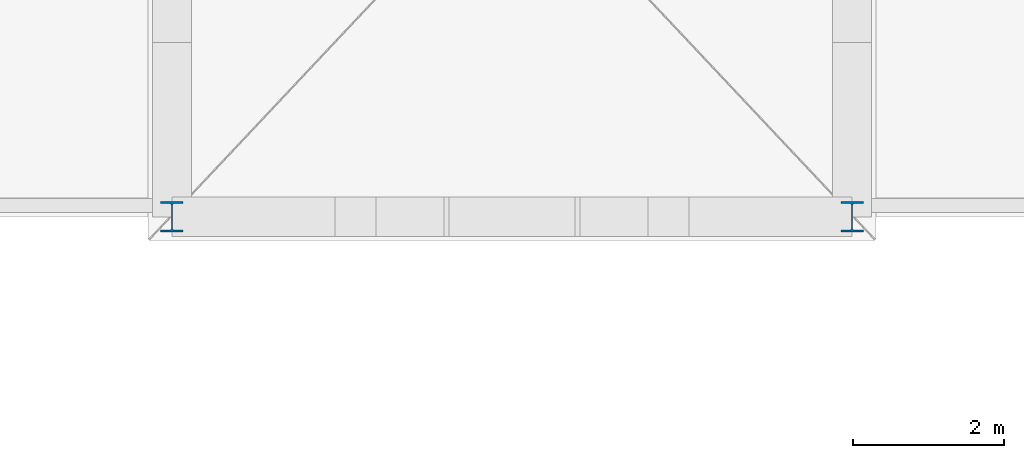
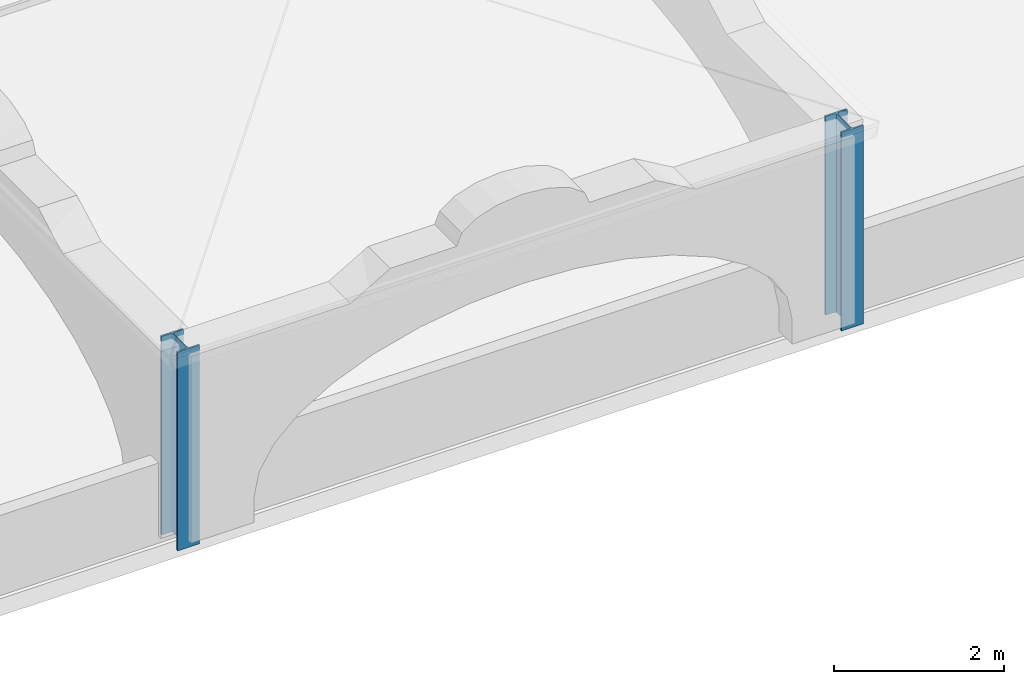
# One storey, part 1 of 16: 2 columns.
"""IFC4 building model written with IfcOpenShell, lengths in metres."""

import ifcopenshell
import ifcopenshell.guid

model = None  # the IFC model being written
_history = None  # IfcOwnerHistory: only IFC2X3 demands one
_inside = {}  # id of a spatial element -> (the spatial element, [elements in it])
_under = {}  # id of a project, library or spatial element -> (it, [spatial elements below it])
_declared = {}  # id of a project -> (the project, [libraries it declares])
_typed = {}  # id of a type object -> (the type object, [elements of that type])
_made_of = {}  # id of a material, layer set ... -> (it, [elements and type objects made of it])


def new_model(schema):
    """Start an empty IFC model of exactly this schema.

    Asked for "IFC4X3", IfcOpenShell would pick the latest addendum, in which some entities
    have other attributes; the version numbers below select the first issue.
    IFC2X3 requires an IfcOwnerHistory on every rooted entity: one is made here for all.
    """
    global model, _history
    if schema == "IFC4X3":
        model = ifcopenshell.file(schema_version=(4, 3, 0, 0))
    else:
        model = ifcopenshell.file(schema=schema)
    _inside.clear()
    _under.clear()
    _declared.clear()
    _typed.clear()
    _made_of.clear()
    _history = None
    if model.schema == "IFC2X3":
        org = make("IfcOrganization", Name="unknown")
        user = make(
            "IfcPersonAndOrganization",
            ThePerson=make("IfcPerson", FamilyName="unknown"),
            TheOrganization=org,
        )
        app = make(
            "IfcApplication",
            ApplicationDeveloper=org,
            Version="unknown",
            ApplicationFullName="unknown",
            ApplicationIdentifier="unknown",
        )
        _history = make(
            "IfcOwnerHistory",
            OwningUser=user,
            OwningApplication=app,
            ChangeAction="ADDED",
            CreationDate=0,
        )
    return model


def make(cls, **values):
    """One entity of the class cls with the attributes given. An attribute that is None is left unset."""
    return model.create_entity(
        cls, **{name: value for name, value in values.items() if value is not None}
    )


def rooted(cls, **values):
    """An entity with a GlobalId (a new one), such as an element, a storey or a relation."""
    return make(cls, GlobalId=ifcopenshell.guid.new(), OwnerHistory=_history, **values)


def si_unit(unit_type, name, prefix=None):
    """IfcSIUnit, for example si_unit("LENGTHUNIT", "METRE", prefix="MILLI")."""
    return make("IfcSIUnit", UnitType=unit_type, Prefix=prefix, Name=name)


def assignment(units):
    """IfcUnitAssignment: the units of a project."""
    return None if units is None else make("IfcUnitAssignment", Units=units)


def point(xyz):
    """IfcCartesianPoint."""
    return None if xyz is None else make("IfcCartesianPoint", Coordinates=xyz)


def direction(xyz):
    """IfcDirection."""
    return None if xyz is None else make("IfcDirection", DirectionRatios=xyz)


def frame(location, z_axis=None, x_axis=None):
    """IfcAxis2Placement3D, a coordinate frame: its origin and axes. An axis left out is left unset."""
    return make(
        "IfcAxis2Placement3D",
        Location=point(location),
        Axis=direction(z_axis),
        RefDirection=direction(x_axis),
    )


def frame_2d(location, x_axis=None):
    """IfcAxis2Placement2D, a coordinate frame in the plane: its origin and x axis."""
    return make(
        "IfcAxis2Placement2D", Location=point(location), RefDirection=direction(x_axis)
    )


def origin():
    """The frame at (0, 0, 0) with its axes left unset."""
    return frame((0.0, 0.0, 0.0))


def origin_2d():
    """The frame at (0, 0) in the plane with its x axis left unset."""
    return frame_2d((0.0, 0.0))


def place(relative_to, where):
    """IfcLocalPlacement: puts the frame where relative to a parent placement (None: the world)."""
    return make(
        "IfcLocalPlacement", PlacementRelTo=relative_to, RelativePlacement=where
    )


def context(
    kind, dimensions, precision=None, world=None, true_north=None, identifier=None
):
    """IfcGeometricRepresentationContext, for example the 3D "Model" context."""
    return make(
        "IfcGeometricRepresentationContext",
        ContextIdentifier=identifier,
        ContextType=kind,
        CoordinateSpaceDimension=dimensions,
        Precision=precision,
        WorldCoordinateSystem=world,
        TrueNorth=true_north,
    )


def subcontext(parent, identifier, kind, view, scale=None):
    """IfcGeometricRepresentationSubContext, for example "Body" below "Model"."""
    return make(
        "IfcGeometricRepresentationSubContext",
        ContextIdentifier=identifier,
        ContextType=kind,
        ParentContext=parent,
        TargetScale=scale,
        TargetView=view,
    )


def project(units=None, contexts=None):
    """IfcProject with its units and contexts."""
    return rooted(
        "IfcProject",
        Name="project",
        RepresentationContexts=contexts,
        UnitsInContext=assignment(units),
    )


def spatial(cls, under=None, at=None, **own):
    """A site, building, storey or space (cls), placed at a placement, below another one or the project."""
    s = rooted(cls, ObjectPlacement=at, **own)
    if under is not None:
        _under.setdefault(under.id(), (under, []))[1].append(s)
    return s


def profile(cls, at=None, kind="AREA", **sizes):
    """A parametric profile (cls). Its sizes go by their IFC names, for example OverallWidth=200.0."""
    return make(cls, ProfileType=kind, Position=at, **sizes)


def i_section(**sizes):
    """IfcIShapeProfileDef."""
    return profile("IfcIShapeProfileDef", **sizes)


def extrude(swept, where, along, depth):
    """IfcExtrudedAreaSolid: the profile swept, set in the frame where, extruded along a direction by depth."""
    return make(
        "IfcExtrudedAreaSolid",
        SweptArea=swept,
        Position=where,
        ExtrudedDirection=direction(along),
        Depth=depth,
    )


def shape(context_of_items, identifier, shape_type, items):
    """IfcShapeRepresentation: the items that make up one representation, for example the "Body"."""
    return make(
        "IfcShapeRepresentation",
        ContextOfItems=context_of_items,
        RepresentationIdentifier=identifier,
        RepresentationType=shape_type,
        Items=items,
    )


def material(Name=None, Category=None):
    """IfcMaterial."""
    return make("IfcMaterial", Name=Name, Category=Category)


def material_profile(
    of_material, cross_section, Name=None, Category=None, Priority=None
):
    """IfcMaterialProfile: a cross section and its material."""
    return make(
        "IfcMaterialProfile",
        Name=Name,
        Material=of_material,
        Profile=cross_section,
        Priority=Priority,
        Category=Category,
    )


def profile_set(profiles, Name=None, composite=None):
    """IfcMaterialProfileSet."""
    return make(
        "IfcMaterialProfileSet",
        Name=Name,
        MaterialProfiles=profiles,
        CompositeProfile=composite,
    )


def made_of(thing, what):
    """Note that an element or type object is made of a material, layer set ...; save() writes the relation."""
    if what is not None:
        _made_of.setdefault(what.id(), (what, []))[1].append(thing)
    return thing


def type_object(cls, material=None, **own):
    """A type object (cls), such as IfcWallType, which elements share."""
    return made_of(rooted(cls, **own), material)


def element(
    cls,
    number,
    at=None,
    inside=None,
    cuts=None,
    type_object=None,
    material=None,
    context=None,
    identifier="Body",
    shape_type=None,
    held_by="IfcProductDefinitionShape",
    body=None,
    shapes=None,
    **own,
):
    """One element of the class cls, such as IfcWall. Its Tag is "e" and its number.

    at: its placement. inside: the storey or other place that contains it. cuts: it is an
    opening in that element (IfcRelVoidsElement). A single representation is given by context,
    identifier, shape_type and body (its items); several are given by shapes. held_by: the class
    of the entity that holds the representations. save() writes the other relations.
    """
    e = rooted(cls, Tag="e%d" % number, ObjectPlacement=at, **own)
    if body is not None:
        shapes = [shape(context, identifier, shape_type, body)]
    if shapes is not None:
        e.Representation = make(held_by, Representations=shapes)
    if inside is not None:
        _inside.setdefault(inside.id(), (inside, []))[1].append(e)
    if cuts is not None:
        rooted(
            "IfcRelVoidsElement", RelatingBuildingElement=cuts, RelatedOpeningElement=e
        )
    if type_object is not None:
        _typed.setdefault(type_object.id(), (type_object, []))[1].append(e)
    return made_of(e, material)


def aggregate(whole, parts):
    """IfcRelAggregates: a whole, such as a stair, and the parts it consists of."""
    return rooted("IfcRelAggregates", RelatingObject=whole, RelatedObjects=parts)


def save(model, path):
    """Write the relations noted so far, then the file.

    IfcRelAggregates (storeys below a building ...), IfcRelContainedInSpatialStructure (elements
    in a storey), IfcRelDefinesByType, IfcRelAssociatesMaterial and IfcRelDeclares: one each for
    every whole, place, type object, material and project.
    """
    for whole, parts in _under.values():
        aggregate(whole, parts)
    for where, things in _inside.values():
        rooted(
            "IfcRelContainedInSpatialStructure",
            RelatedElements=things,
            RelatingStructure=where,
        )
    for kind, things in _typed.values():
        rooted("IfcRelDefinesByType", RelatedObjects=things, RelatingType=kind)
    for what, things in _made_of.values():
        rooted("IfcRelAssociatesMaterial", RelatedObjects=things, RelatingMaterial=what)
    for by, libraries in _declared.values():
        rooted("IfcRelDeclares", RelatingContext=by, RelatedDefinitions=libraries)
    model.write(path)


model = new_model("IFC4")

# Units and contexts
model_context = context("Model", 3, precision=1e-05, world=origin(), true_north=direction((0.0, 1.0)))
body_context = subcontext(model_context, "Body", "Model", "MODEL_VIEW")
ifc_project = project(units=[si_unit("LENGTHUNIT", "METRE"), si_unit("AREAUNIT", "SQUARE_METRE"), si_unit("VOLUMEUNIT", "CUBIC_METRE"), si_unit("PLANEANGLEUNIT", "RADIAN"), si_unit("MASSUNIT", "GRAM", prefix="KILO")], contexts=[model_context])

# Site, building, storey
site_placement = place(None, origin())
site = spatial("IfcSite", under=ifc_project, at=site_placement, CompositionType="ELEMENT")
building_placement = place(site_placement, origin())
building = spatial("IfcBuilding", under=site, at=building_placement, Name="Myrtia Square Station", CompositionType="ELEMENT")
storey_placement = place(building_placement, frame((0.0, 0.0, 22.800048828125)))
storey = spatial("IfcBuildingStorey", under=building, at=storey_placement, Name="RF", CompositionType="ELEMENT", Elevation=22.800048828125)

# Columns
ifc_material = material(Name="Steel S355", Category="steel")
ifc_material_profile = material_profile(ifc_material, i_section(OverallWidth=0.300048828125, OverallDepth=0.39990234375, WebThickness=0.013427734375, FlangeThickness=0.02392578125, FilletRadius=0.027099609375, at=origin_2d()), Name="HEB 400")
ifc_profile_set = profile_set([ifc_material_profile], Name="Steel S355")
column_type = type_object("IfcColumnType", Name="COL-HEB400", PredefinedType="COLUMN", material=ifc_profile_set)
for number, where, z_axis, x_axis, name in (
    (1, (171.0, 86.39990234375, 0.0048828125), (0.0, 0.0, 1.0), (1.0, 0.0, 0.0), "Station clock tower belfry column 1"),
    (2, (180.0, 86.39990234375, 0.0048828125), (0.0, 0.0, 1.0), (1.0, 0.0, 0.0), "Station clock tower belfry column 2"),
):
    element("IfcColumn", number, at=place(storey_placement, frame(where, z_axis=z_axis, x_axis=x_axis)), inside=storey, type_object=column_type, Name=name, PredefinedType="COLUMN", context=body_context, shape_type="SweptSolid", body=[
        extrude(i_section(OverallWidth=0.300048828125, OverallDepth=0.39990234375, WebThickness=0.013427734375, FlangeThickness=0.02392578125, FilletRadius=0.027099609375, at=origin_2d()), origin(), (0.0, 0.0, 1.0), 2.844970703125),
    ])

save(model, "model.ifc")
